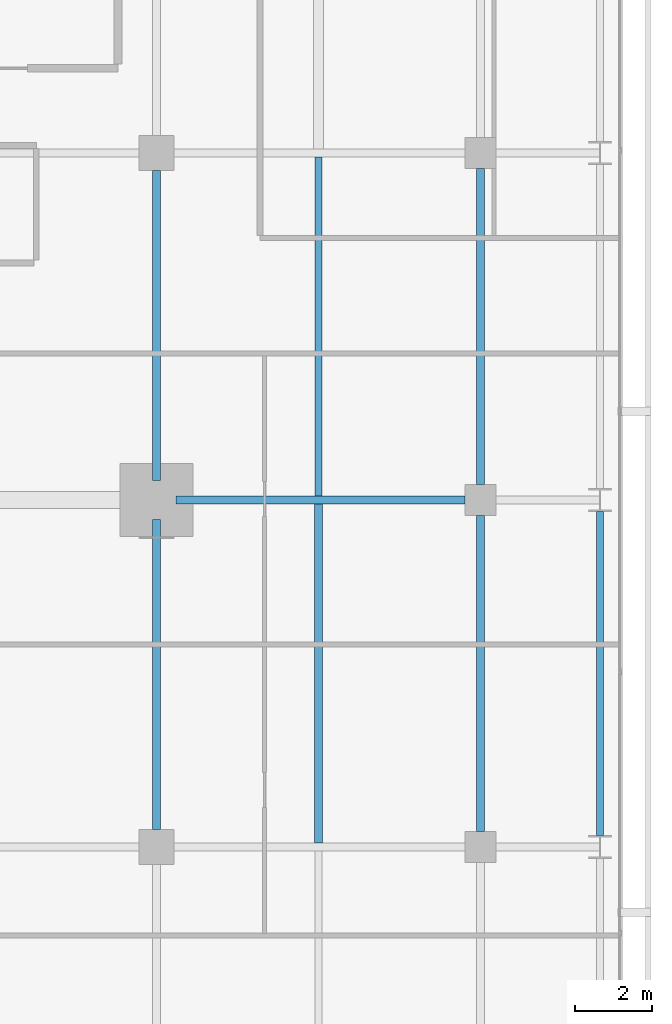
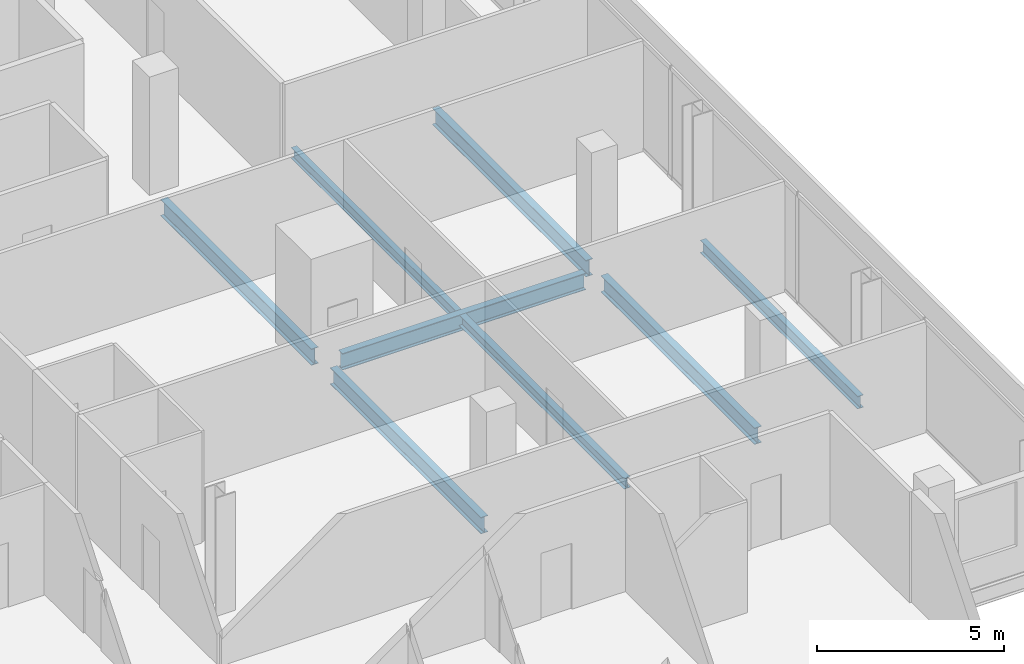
# One storey, part 16 of 33: 8 beams.
"""IFC4 building model written with IfcOpenShell, lengths in metres."""

import ifcopenshell
import ifcopenshell.guid

model = None  # the IFC model being written
_history = None  # IfcOwnerHistory: only IFC2X3 demands one
_inside = {}  # id of a spatial element -> (the spatial element, [elements in it])
_under = {}  # id of a project, library or spatial element -> (it, [spatial elements below it])
_declared = {}  # id of a project -> (the project, [libraries it declares])
_typed = {}  # id of a type object -> (the type object, [elements of that type])
_made_of = {}  # id of a material, layer set ... -> (it, [elements and type objects made of it])


def new_model(schema):
    """Start an empty IFC model of exactly this schema.

    Asked for "IFC4X3", IfcOpenShell would pick the latest addendum, in which some entities
    have other attributes; the version numbers below select the first issue.
    IFC2X3 requires an IfcOwnerHistory on every rooted entity: one is made here for all.
    """
    global model, _history
    if schema == "IFC4X3":
        model = ifcopenshell.file(schema_version=(4, 3, 0, 0))
    else:
        model = ifcopenshell.file(schema=schema)
    _inside.clear()
    _under.clear()
    _declared.clear()
    _typed.clear()
    _made_of.clear()
    _history = None
    if model.schema == "IFC2X3":
        org = make("IfcOrganization", Name="unknown")
        user = make(
            "IfcPersonAndOrganization",
            ThePerson=make("IfcPerson", FamilyName="unknown"),
            TheOrganization=org,
        )
        app = make(
            "IfcApplication",
            ApplicationDeveloper=org,
            Version="unknown",
            ApplicationFullName="unknown",
            ApplicationIdentifier="unknown",
        )
        _history = make(
            "IfcOwnerHistory",
            OwningUser=user,
            OwningApplication=app,
            ChangeAction="ADDED",
            CreationDate=0,
        )
    return model


def make(cls, **values):
    """One entity of the class cls with the attributes given. An attribute that is None is left unset."""
    return model.create_entity(
        cls, **{name: value for name, value in values.items() if value is not None}
    )


def rooted(cls, **values):
    """An entity with a GlobalId (a new one), such as an element, a storey or a relation."""
    return make(cls, GlobalId=ifcopenshell.guid.new(), OwnerHistory=_history, **values)


def si_unit(unit_type, name, prefix=None):
    """IfcSIUnit, for example si_unit("LENGTHUNIT", "METRE", prefix="MILLI")."""
    return make("IfcSIUnit", UnitType=unit_type, Prefix=prefix, Name=name)


def assignment(units):
    """IfcUnitAssignment: the units of a project."""
    return None if units is None else make("IfcUnitAssignment", Units=units)


def point(xyz):
    """IfcCartesianPoint."""
    return None if xyz is None else make("IfcCartesianPoint", Coordinates=xyz)


def direction(xyz):
    """IfcDirection."""
    return None if xyz is None else make("IfcDirection", DirectionRatios=xyz)


def frame(location, z_axis=None, x_axis=None):
    """IfcAxis2Placement3D, a coordinate frame: its origin and axes. An axis left out is left unset."""
    return make(
        "IfcAxis2Placement3D",
        Location=point(location),
        Axis=direction(z_axis),
        RefDirection=direction(x_axis),
    )


def frame_2d(location, x_axis=None):
    """IfcAxis2Placement2D, a coordinate frame in the plane: its origin and x axis."""
    return make(
        "IfcAxis2Placement2D", Location=point(location), RefDirection=direction(x_axis)
    )


def origin():
    """The frame at (0, 0, 0) with its axes left unset."""
    return frame((0.0, 0.0, 0.0))


def origin_2d():
    """The frame at (0, 0) in the plane with its x axis left unset."""
    return frame_2d((0.0, 0.0))


def place(relative_to, where):
    """IfcLocalPlacement: puts the frame where relative to a parent placement (None: the world)."""
    return make(
        "IfcLocalPlacement", PlacementRelTo=relative_to, RelativePlacement=where
    )


def context(
    kind, dimensions, precision=None, world=None, true_north=None, identifier=None
):
    """IfcGeometricRepresentationContext, for example the 3D "Model" context."""
    return make(
        "IfcGeometricRepresentationContext",
        ContextIdentifier=identifier,
        ContextType=kind,
        CoordinateSpaceDimension=dimensions,
        Precision=precision,
        WorldCoordinateSystem=world,
        TrueNorth=true_north,
    )


def subcontext(parent, identifier, kind, view, scale=None):
    """IfcGeometricRepresentationSubContext, for example "Body" below "Model"."""
    return make(
        "IfcGeometricRepresentationSubContext",
        ContextIdentifier=identifier,
        ContextType=kind,
        ParentContext=parent,
        TargetScale=scale,
        TargetView=view,
    )


def project(units=None, contexts=None):
    """IfcProject with its units and contexts."""
    return rooted(
        "IfcProject",
        Name="project",
        RepresentationContexts=contexts,
        UnitsInContext=assignment(units),
    )


def spatial(cls, under=None, at=None, **own):
    """A site, building, storey or space (cls), placed at a placement, below another one or the project."""
    s = rooted(cls, ObjectPlacement=at, **own)
    if under is not None:
        _under.setdefault(under.id(), (under, []))[1].append(s)
    return s


def profile(cls, at=None, kind="AREA", **sizes):
    """A parametric profile (cls). Its sizes go by their IFC names, for example OverallWidth=200.0."""
    return make(cls, ProfileType=kind, Position=at, **sizes)


def i_section(**sizes):
    """IfcIShapeProfileDef."""
    return profile("IfcIShapeProfileDef", **sizes)


def extrude(swept, where, along, depth):
    """IfcExtrudedAreaSolid: the profile swept, set in the frame where, extruded along a direction by depth."""
    return make(
        "IfcExtrudedAreaSolid",
        SweptArea=swept,
        Position=where,
        ExtrudedDirection=direction(along),
        Depth=depth,
    )


def shape(context_of_items, identifier, shape_type, items):
    """IfcShapeRepresentation: the items that make up one representation, for example the "Body"."""
    return make(
        "IfcShapeRepresentation",
        ContextOfItems=context_of_items,
        RepresentationIdentifier=identifier,
        RepresentationType=shape_type,
        Items=items,
    )


def material(Name=None, Category=None):
    """IfcMaterial."""
    return make("IfcMaterial", Name=Name, Category=Category)


def material_profile(
    of_material, cross_section, Name=None, Category=None, Priority=None
):
    """IfcMaterialProfile: a cross section and its material."""
    return make(
        "IfcMaterialProfile",
        Name=Name,
        Material=of_material,
        Profile=cross_section,
        Priority=Priority,
        Category=Category,
    )


def profile_set(profiles, Name=None, composite=None):
    """IfcMaterialProfileSet."""
    return make(
        "IfcMaterialProfileSet",
        Name=Name,
        MaterialProfiles=profiles,
        CompositeProfile=composite,
    )


def made_of(thing, what):
    """Note that an element or type object is made of a material, layer set ...; save() writes the relation."""
    if what is not None:
        _made_of.setdefault(what.id(), (what, []))[1].append(thing)
    return thing


def type_object(cls, material=None, **own):
    """A type object (cls), such as IfcWallType, which elements share."""
    return made_of(rooted(cls, **own), material)


def element(
    cls,
    number,
    at=None,
    inside=None,
    cuts=None,
    type_object=None,
    material=None,
    context=None,
    identifier="Body",
    shape_type=None,
    held_by="IfcProductDefinitionShape",
    body=None,
    shapes=None,
    **own,
):
    """One element of the class cls, such as IfcWall. Its Tag is "e" and its number.

    at: its placement. inside: the storey or other place that contains it. cuts: it is an
    opening in that element (IfcRelVoidsElement). A single representation is given by context,
    identifier, shape_type and body (its items); several are given by shapes. held_by: the class
    of the entity that holds the representations. save() writes the other relations.
    """
    e = rooted(cls, Tag="e%d" % number, ObjectPlacement=at, **own)
    if body is not None:
        shapes = [shape(context, identifier, shape_type, body)]
    if shapes is not None:
        e.Representation = make(held_by, Representations=shapes)
    if inside is not None:
        _inside.setdefault(inside.id(), (inside, []))[1].append(e)
    if cuts is not None:
        rooted(
            "IfcRelVoidsElement", RelatingBuildingElement=cuts, RelatedOpeningElement=e
        )
    if type_object is not None:
        _typed.setdefault(type_object.id(), (type_object, []))[1].append(e)
    return made_of(e, material)


def aggregate(whole, parts):
    """IfcRelAggregates: a whole, such as a stair, and the parts it consists of."""
    return rooted("IfcRelAggregates", RelatingObject=whole, RelatedObjects=parts)


def save(model, path):
    """Write the relations noted so far, then the file.

    IfcRelAggregates (storeys below a building ...), IfcRelContainedInSpatialStructure (elements
    in a storey), IfcRelDefinesByType, IfcRelAssociatesMaterial and IfcRelDeclares: one each for
    every whole, place, type object, material and project.
    """
    for whole, parts in _under.values():
        aggregate(whole, parts)
    for where, things in _inside.values():
        rooted(
            "IfcRelContainedInSpatialStructure",
            RelatedElements=things,
            RelatingStructure=where,
        )
    for kind, things in _typed.values():
        rooted("IfcRelDefinesByType", RelatedObjects=things, RelatingType=kind)
    for what, things in _made_of.values():
        rooted("IfcRelAssociatesMaterial", RelatedObjects=things, RelatingMaterial=what)
    for by, libraries in _declared.values():
        rooted("IfcRelDeclares", RelatingContext=by, RelatedDefinitions=libraries)
    model.write(path)


model = new_model("IFC4")

# Units and contexts
model_context = context("Model", 3, precision=1e-05, world=origin(), true_north=direction((0.0, 1.0)))
body_context = subcontext(model_context, "Body", "Model", "MODEL_VIEW")
ifc_project = project(units=[si_unit("LENGTHUNIT", "METRE"), si_unit("AREAUNIT", "SQUARE_METRE"), si_unit("VOLUMEUNIT", "CUBIC_METRE"), si_unit("PLANEANGLEUNIT", "RADIAN"), si_unit("MASSUNIT", "GRAM", prefix="KILO")], contexts=[model_context])

# Site, building, storey
site_placement = place(None, origin())
site = spatial("IfcSite", under=ifc_project, at=site_placement, CompositionType="ELEMENT")
building_placement = place(site_placement, origin())
building = spatial("IfcBuilding", under=site, at=building_placement, Name="Maruvema Waterfront Hotel and Observation Tower", CompositionType="ELEMENT")
storey_placement = place(building_placement, frame((0.0, 0.0, 200.550048828125)))
storey = spatial("IfcBuildingStorey", under=building, at=storey_placement, Name="L49", CompositionType="ELEMENT", Elevation=200.550048828125)

# Beams
ifc_material_1 = material(Name="Steel ASTM A572 Grade 50", Category="steel")
ifc_material_profile_1 = material_profile(ifc_material_1, i_section(OverallWidth=0.178955078125, OverallDepth=0.409912109375, WebThickness=0.0087890625, FlangeThickness=0.014404296875, FilletRadius=0.014892578125, at=origin_2d()), Name="W410x67.0")
ifc_profile_set_1 = profile_set([ifc_material_profile_1], Name="Steel ASTM A572 Grade 50")
beam_type_1 = type_object("IfcBeamType", Name="Perimeter Spandrel Beam W410x67.0", PredefinedType="SPANDREL", material=ifc_profile_set_1)
beam_1_placement = place(storey_placement, frame((61.89990234375, 18.300048828125, -0.445068359375), z_axis=(0.0, 1.0, 0.0), x_axis=(-1.0, 0.0, 0.0)))
element("IfcBeam", 1, at=beam_1_placement, inside=storey, type_object=beam_type_1, Name="L49 Floor Girder NS-30", PredefinedType="SPANDREL", context=body_context, shape_type="SweptSolid", body=[
    extrude(i_section(OverallWidth=0.178955078125, OverallDepth=0.409912109375, WebThickness=0.0087890625, FlangeThickness=0.014404296875, FilletRadius=0.014892578125, at=origin_2d()), origin(), (0.0, 0.0, 1.0), 8.39990234375),
])
ifc_material_2 = material(Name="Steel ASTM A572 Grade 50", Category="steel")
ifc_material_profile_2 = material_profile(ifc_material_2, i_section(OverallWidth=0.2109375, OverallDepth=0.5390625, WebThickness=0.01171875, FlangeThickness=0.018798828125, FilletRadius=0.014892578125, at=origin_2d()), Name="W530x109.0")
ifc_profile_set_2 = profile_set([ifc_material_profile_2], Name="Steel ASTM A572 Grade 50")
beam_type_2 = type_object("IfcBeamType", Name="Primary Floor Girder W530x109.0", PredefinedType="BEAM", material=ifc_profile_set_2)
beam_2_placement = place(storey_placement, frame((50.89990234375, 27.0, -0.509521484375), z_axis=(1.0, 0.0, 0.0), x_axis=(0.0, 1.0, 0.0)))
element("IfcBeam", 2, at=beam_2_placement, inside=storey, type_object=beam_type_2, Name="L49 Floor Girder EW-21", PredefinedType="BEAM", context=body_context, shape_type="SweptSolid", body=[
    extrude(i_section(OverallWidth=0.2109375, OverallDepth=0.5390625, WebThickness=0.01171875, FlangeThickness=0.018798828125, FilletRadius=0.014892578125, at=origin_2d()), origin(), (0.0, 0.0, 1.0), 7.5),
])
for number, where, z_axis, x_axis, name in (
    (3, (50.39990234375, 18.449951171875, -0.509521484375), (0.0, 1.0, 0.0), (-1.0, 0.0, 0.0), "L49 Floor Girder NS-22"),
    (4, (50.39990234375, 27.5, -0.509521484375), (0.0, 1.0, 0.0), (-1.0, 0.0, 0.0), "L49 Floor Girder NS-23"),
):
    element("IfcBeam", number, at=place(storey_placement, frame(where, z_axis=z_axis, x_axis=x_axis)), inside=storey, type_object=beam_type_2, Name=name, PredefinedType="BEAM", context=body_context, shape_type="SweptSolid", body=[
        extrude(i_section(OverallWidth=0.2109375, OverallDepth=0.5390625, WebThickness=0.01171875, FlangeThickness=0.018798828125, FilletRadius=0.014892578125, at=origin_2d()), origin(), (0.0, 0.0, 1.0), 8.050048828125),
    ])
for number, where, z_axis, x_axis, name in (
    (5, (58.800048828125, 18.39990234375, -0.509521484375), (0.0, 1.0, 0.0), (-1.0, 0.0, 0.0), "L49 Floor Girder NS-26"),
    (6, (58.800048828125, 27.39990234375, -0.509521484375), (0.0, 1.0, 0.0), (-1.0, 0.0, 0.0), "L49 Floor Girder NS-27"),
):
    element("IfcBeam", number, at=place(storey_placement, frame(where, z_axis=z_axis, x_axis=x_axis)), inside=storey, type_object=beam_type_2, Name=name, PredefinedType="BEAM", context=body_context, shape_type="SweptSolid", body=[
        extrude(i_section(OverallWidth=0.2109375, OverallDepth=0.5390625, WebThickness=0.01171875, FlangeThickness=0.018798828125, FilletRadius=0.014892578125, at=origin_2d()), origin(), (0.0, 0.0, 1.0), 8.2001953125),
    ])
ifc_material_3 = material(Name="Steel ASTM A572 Grade 50", Category="steel")
ifc_material_profile_3 = material_profile(ifc_material_3, i_section(OverallWidth=0.1708984375, OverallDepth=0.35498046875, WebThickness=0.007080078125, FlangeThickness=0.01171875, FilletRadius=0.014892578125, at=origin_2d()), Name="W360x51.0")
ifc_profile_set_3 = profile_set([ifc_material_profile_3], Name="Steel ASTM A572 Grade 50")
beam_type_3 = type_object("IfcBeamType", Name="Secondary Floor Joist W360x51.0", PredefinedType="JOIST", material=ifc_profile_set_3)
beam_3_placement = place(storey_placement, frame((54.60009765625, 27.10546875, -0.41748046875), z_axis=(0.0, 1.0, 0.0), x_axis=(-1.0, 0.0, 0.0)))
element("IfcBeam", 7, at=beam_3_placement, inside=storey, type_object=beam_type_3, Name="L49 Secondary Floor Joist JS-13", PredefinedType="JOIST", context=body_context, shape_type="SweptSolid", body=[
    extrude(i_section(OverallWidth=0.1708984375, OverallDepth=0.35498046875, WebThickness=0.007080078125, FlangeThickness=0.01171875, FilletRadius=0.014892578125, at=origin_2d()), origin(), (0.0, 0.0, 1.0), 8.7890625),
])
ifc_material_4 = material(Name="Steel ASTM A572 Grade 50", Category="steel")
ifc_material_profile_4 = material_profile(ifc_material_4, i_section(OverallWidth=0.202880859375, OverallDepth=0.346923828125, WebThickness=0.0078125, FlangeThickness=0.013427734375, FilletRadius=0.014892578125, at=origin_2d()), Name="W360x64.0")
ifc_profile_set_4 = profile_set([ifc_material_profile_4], Name="Steel ASTM A572 Grade 50")
beam_type_4 = type_object("IfcBeamType", Name="Secondary Floor Joist W360x64.0", PredefinedType="JOIST", material=ifc_profile_set_4)
beam_4_placement = place(storey_placement, frame((54.60009765625, 18.10546875, -0.41357421875), z_axis=(0.0, 1.0, 0.0), x_axis=(-1.0, 0.0, 0.0)))
element("IfcBeam", 8, at=beam_4_placement, inside=storey, type_object=beam_type_4, Name="L49 Secondary Floor Joist JS-12", PredefinedType="JOIST", context=body_context, shape_type="SweptSolid", body=[
    extrude(i_section(OverallWidth=0.202880859375, OverallDepth=0.346923828125, WebThickness=0.0078125, FlangeThickness=0.013427734375, FilletRadius=0.014892578125, at=origin_2d()), origin(), (0.0, 0.0, 1.0), 8.7890625),
])

save(model, "model.ifc")
